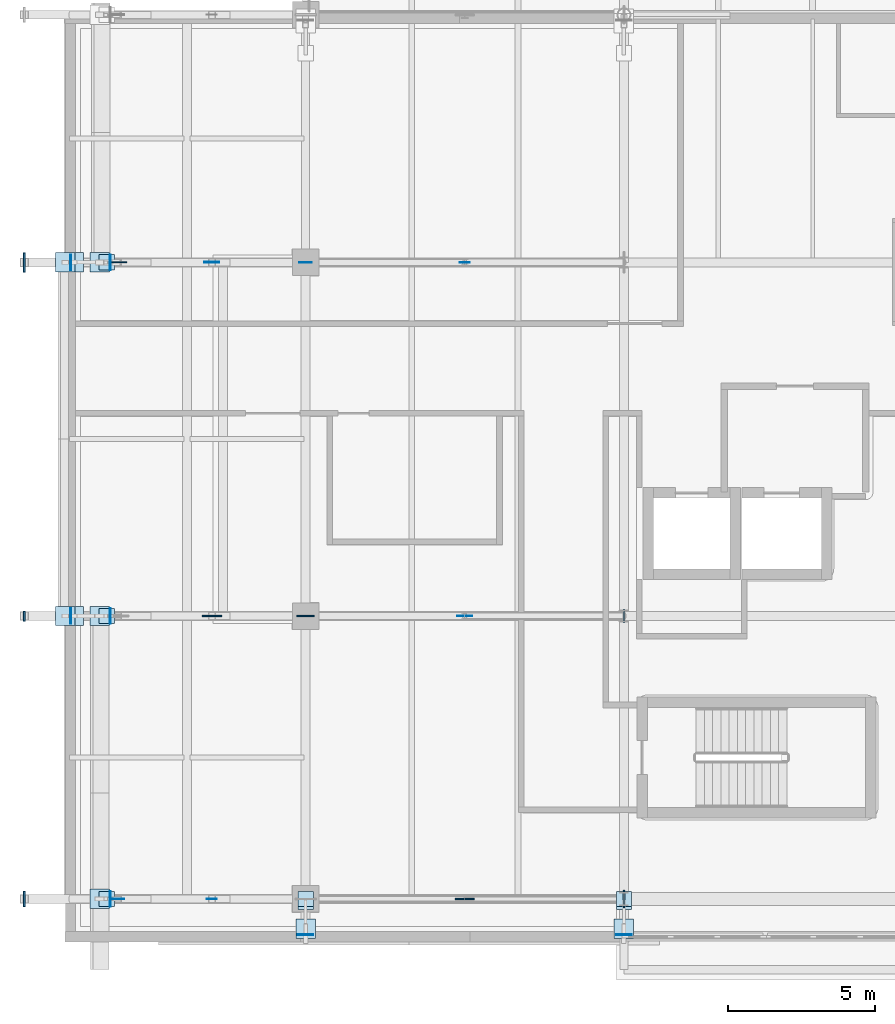
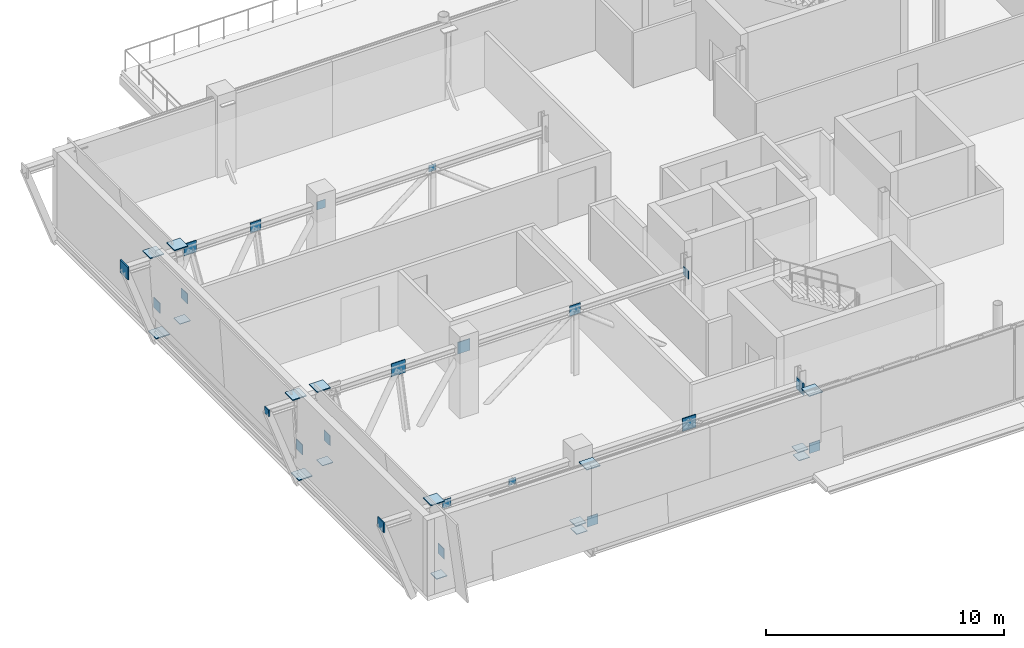
# One storey, part 32 of 57: 38 plates.
"""IFC4 building model written with IfcOpenShell, lengths in metres."""

from ifc_helpers import new_model, si_unit, direction, frame, origin, origin_2d, place, context, subcontext, project, spatial, rectangle, extrude, material, layer, layer_set, type_object, element, save


model = new_model("IFC4")

# Units and contexts
model_context = context("Model", 3, precision=1e-05, world=origin(), true_north=direction((0.0, 1.0)))
body_context = subcontext(model_context, "Body", "Model", "MODEL_VIEW")
ifc_project = project(units=[si_unit("LENGTHUNIT", "METRE"), si_unit("AREAUNIT", "SQUARE_METRE"), si_unit("VOLUMEUNIT", "CUBIC_METRE"), si_unit("PLANEANGLEUNIT", "RADIAN"), si_unit("MASSUNIT", "GRAM", prefix="KILO")], contexts=[model_context])

# Site, building, storey
site_placement = place(None, origin())
site = spatial("IfcSite", under=ifc_project, at=site_placement, CompositionType="ELEMENT")
building_placement = place(site_placement, origin())
building = spatial("IfcBuilding", under=site, at=building_placement, Name="Zereglee Splitstone Museum", CompositionType="ELEMENT")
storey_placement = place(building_placement, frame((0.0, 0.0, 17.10009765625)))
storey = spatial("IfcBuildingStorey", under=building, at=storey_placement, Name="L03", CompositionType="ELEMENT", Elevation=17.10009765625)

# Plates
ifc_material = material(Name="Steel S355J2", Category="steel")
ifc_layer_1 = layer(ifc_material, 0.011962890625)
ifc_layer_set_1 = layer_set([ifc_layer_1], Name="Steel S355J2")
plate_type_1 = type_object("IfcPlateType", Name="NP-06", PredefinedType="SHEET", material=ifc_layer_set_1)
plate_1_placement = place(storey_placement, frame((6.416748046875, 0.0, 3.1298828125), z_axis=(0.0, 0.0, 1.0), x_axis=(1.0, 0.0, 0.0)))
element("IfcPlate", 1, at=plate_1_placement, inside=storey, type_object=plate_type_1, Name="Cantilever Truss Node Plate CN-01", PredefinedType="SHEET", context=body_context, shape_type="SweptSolid", body=[
    extrude(rectangle(XDim=0.340087890625, YDim=0.011962890625, at=origin_2d()), origin(), (0.0, 0.0, 1.0), 0.340087890625),
])
plate_2_placement = place(storey_placement, frame((0.050048828125, 9.60009765625, 3.1298828125), z_axis=(0.0, 0.0, 1.0), x_axis=(1.0, 0.0, 0.0)))
element("IfcPlate", 2, at=plate_2_placement, inside=storey, type_object=plate_type_1, Name="Cantilever Truss Node Plate CN-02", PredefinedType="SHEET", context=body_context, shape_type="SweptSolid", body=[
    extrude(rectangle(XDim=0.06005859375, YDim=0.340087890625, at=origin_2d()), origin(), (0.0, 0.0, 1.0), 0.340087890625),
])
plate_3_placement = place(storey_placement, frame((15.0, 21.60009765625, 3.1298828125), z_axis=(0.0, 0.0, 1.0), x_axis=(1.0, 0.0, 0.0)))
element("IfcPlate", 3, at=plate_3_placement, inside=storey, type_object=plate_type_1, Name="Cantilever Truss Node Plate CN-03", PredefinedType="SHEET", context=body_context, shape_type="SweptSolid", body=[
    extrude(rectangle(XDim=0.340087890625, YDim=0.011962890625, at=origin_2d()), origin(), (0.0, 0.0, 1.0), 0.340087890625),
])
ifc_layer_2 = layer(ifc_material, 0.02001953125)
ifc_layer_set_2 = layer_set([ifc_layer_2], Name="Steel S355J2")
plate_type_2 = type_object("IfcPlateType", Name="NP-05", PredefinedType="SHEET", material=ifc_layer_set_2)
plate_4_placement = place(storey_placement, frame((3.2333984375, 0.0, 3.08984375), z_axis=(0.0, 0.0, 1.0), x_axis=(1.0, 0.0, 0.0)))
element("IfcPlate", 4, at=plate_4_placement, inside=storey, type_object=plate_type_2, Name="Cantilever Truss Node Plate CN-01", PredefinedType="SHEET", context=body_context, shape_type="SweptSolid", body=[
    extrude(rectangle(XDim=0.419921875, YDim=0.02001953125, at=origin_2d()), origin(), (0.0, 0.0, 1.0), 0.419921875),
])
plate_5_placement = place(storey_placement, frame((20.39990234375, 9.60009765625, 3.08984375), z_axis=(0.0, 0.0, 1.0), x_axis=(1.0, 0.0, 0.0)))
element("IfcPlate", 5, at=plate_5_placement, inside=storey, type_object=plate_type_2, Name="Cantilever Truss Node Plate CN-02", PredefinedType="SHEET", context=body_context, shape_type="SweptSolid", body=[
    extrude(rectangle(XDim=0.06005859375, YDim=0.419921875, at=origin_2d()), origin(), (0.0, 0.0, 1.0), 0.419921875),
])
plate_6_placement = place(storey_placement, frame((9.60009765625, 21.60009765625, 3.08984375), z_axis=(0.0, 0.0, 1.0), x_axis=(1.0, 0.0, 0.0)))
element("IfcPlate", 6, at=plate_6_placement, inside=storey, type_object=plate_type_2, Name="Cantilever Truss Node Plate CN-03", PredefinedType="SHEET", context=body_context, shape_type="SweptSolid", body=[
    extrude(rectangle(XDim=0.419921875, YDim=0.02001953125, at=origin_2d()), origin(), (0.0, 0.0, 1.0), 0.419921875),
])
ifc_layer_3 = layer(ifc_material, 0.030029296875)
ifc_layer_set_3 = layer_set([ifc_layer_3], Name="Steel S355J2")
plate_type_3 = type_object("IfcPlateType", Name="NP-04", PredefinedType="SHEET", material=ifc_layer_set_3)
plate_7_placement = place(storey_placement, frame((0.050048828125, 0.0, 3.039794921875), z_axis=(0.0, 0.0, 1.0), x_axis=(1.0, 0.0, 0.0)))
element("IfcPlate", 7, at=plate_7_placement, inside=storey, type_object=plate_type_3, Name="Cantilever Truss Node Plate CN-01", PredefinedType="SHEET", context=body_context, shape_type="SweptSolid", body=[
    extrude(rectangle(XDim=0.06005859375, YDim=0.52001953125, at=origin_2d()), origin(), (0.0, 0.0, 1.0), 0.52001953125),
])
for number, where, z_axis, x_axis, name in (
    (8, (15.0, 9.60009765625, 3.039794921875), (0.0, 0.0, 1.0), (1.0, 0.0, 0.0), "Cantilever Truss Node Plate CN-02"),
    (9, (6.416748046875, 21.60009765625, 3.039794921875), (0.0, 0.0, 1.0), (1.0, 0.0, 0.0), "Cantilever Truss Node Plate CN-03"),
):
    element("IfcPlate", number, at=place(storey_placement, frame(where, z_axis=z_axis, x_axis=x_axis)), inside=storey, type_object=plate_type_3, Name=name, PredefinedType="SHEET", context=body_context, shape_type="SweptSolid", body=[
        extrude(rectangle(XDim=0.52001953125, YDim=0.030029296875, at=origin_2d()), origin(), (0.0, 0.0, 1.0), 0.52001953125),
    ])
for number, where, z_axis, x_axis, name in (
    (10, (9.60009765625, 0.0, 0.10498046875), (0.0, 0.0, 1.0), (1.0, 0.0, 0.0), "CBF Brace Gusset Cap L03-003"),
    (11, (20.39990234375, 0.0, 0.10498046875), (0.0, 0.0, 1.0), (1.0, 0.0, 0.0), "CBF Brace Gusset Cap L03-003"),
    (12, (2.85009765625, 0.0, -0.2548828125), (0.0, 0.0, 1.0), (1.0, 0.0, 0.0), "Facet Tie Seal Plate FH-V1W-S"),
):
    element("IfcPlate", number, at=place(storey_placement, frame(where, z_axis=z_axis, x_axis=x_axis)), inside=storey, type_object=plate_type_3, Name=name, PredefinedType="SHEET", context=body_context, shape_type="SweptSolid", body=[
        extrude(rectangle(XDim=0.52001953125, YDim=0.52001953125, at=origin_2d()), origin(), (0.0, 0.0, 1.0), 0.030029296875),
    ])
plate_8_placement = place(storey_placement, frame((2.96923828125, 0.0, 0.659912109375), z_axis=(0.0, 0.0, 1.0), x_axis=(1.0, 0.0, 0.0)))
element("IfcPlate", 13, at=plate_8_placement, inside=storey, type_object=plate_type_3, Name="Facet Tie Seal Plate FH-V1W-S", PredefinedType="SHEET", context=body_context, shape_type="SweptSolid", body=[
    extrude(rectangle(XDim=0.030029296875, YDim=0.52001953125, at=origin_2d()), origin(), (0.0, 0.0, 1.0), 0.52001953125),
])
plate_9_placement = place(storey_placement, frame((2.85009765625, 9.60009765625, -0.2548828125), z_axis=(0.0, 0.0, 1.0), x_axis=(1.0, 0.0, 0.0)))
element("IfcPlate", 14, at=plate_9_placement, inside=storey, type_object=plate_type_3, Name="Facet Tie Seal Plate FH-V1W-S", PredefinedType="SHEET", context=body_context, shape_type="SweptSolid", body=[
    extrude(rectangle(XDim=0.52001953125, YDim=0.52001953125, at=origin_2d()), origin(), (0.0, 0.0, 1.0), 0.030029296875),
])
plate_10_placement = place(storey_placement, frame((2.96923828125, 9.60009765625, 0.659912109375), z_axis=(0.0, 0.0, 1.0), x_axis=(1.0, 0.0, 0.0)))
element("IfcPlate", 15, at=plate_10_placement, inside=storey, type_object=plate_type_3, Name="Facet Tie Seal Plate FH-V1W-S", PredefinedType="SHEET", context=body_context, shape_type="SweptSolid", body=[
    extrude(rectangle(XDim=0.030029296875, YDim=0.52001953125, at=origin_2d()), origin(), (0.0, 0.0, 1.0), 0.52001953125),
])
plate_11_placement = place(storey_placement, frame((2.85009765625, 21.60009765625, -0.2548828125), z_axis=(0.0, 0.0, 1.0), x_axis=(1.0, 0.0, 0.0)))
element("IfcPlate", 16, at=plate_11_placement, inside=storey, type_object=plate_type_3, Name="Facet Tie Seal Plate FH-V1W-N", PredefinedType="SHEET", context=body_context, shape_type="SweptSolid", body=[
    extrude(rectangle(XDim=0.52001953125, YDim=0.52001953125, at=origin_2d()), origin(), (0.0, 0.0, 1.0), 0.030029296875),
])
for number, where, z_axis, x_axis, name in (
    (17, (2.96923828125, 21.60009765625, 0.659912109375), (0.0, 0.0, 1.0), (1.0, 0.0, 0.0), "Facet Tie Seal Plate FH-V1W-N"),
    (18, (1.628173828125, 9.60009765625, 0.659912109375), (0.0, 0.0, 1.0), (1.0, 0.0, 0.0), "Facet Tie Seal Plate FH-V1W-M"),
    (19, (1.628173828125, 21.60009765625, 0.659912109375), (0.0, 0.0, 1.0), (1.0, 0.0, 0.0), "Facet Tie Seal Plate FH-V1W-M"),
):
    element("IfcPlate", number, at=place(storey_placement, frame(where, z_axis=z_axis, x_axis=x_axis)), inside=storey, type_object=plate_type_3, Name=name, PredefinedType="SHEET", context=body_context, shape_type="SweptSolid", body=[
        extrude(rectangle(XDim=0.030029296875, YDim=0.52001953125, at=origin_2d()), origin(), (0.0, 0.0, 1.0), 0.52001953125),
    ])
plate_12_placement = place(storey_placement, frame((9.60009765625, -0.10009765625, -0.2548828125), z_axis=(0.0, 0.0, 1.0), x_axis=(1.0, 0.0, 0.0)))
element("IfcPlate", 20, at=plate_12_placement, inside=storey, type_object=plate_type_3, Name="Facet Tie Seal Plate FH-V1S-W", PredefinedType="SHEET", context=body_context, shape_type="SweptSolid", body=[
    extrude(rectangle(XDim=0.52001953125, YDim=0.52001953125, at=origin_2d()), origin(), (0.0, 0.0, 1.0), 0.030029296875),
])
plate_13_placement = place(storey_placement, frame((9.60009765625, -1.219970703125, 0.659912109375), z_axis=(0.0, 0.0, 1.0), x_axis=(1.0, 0.0, 0.0)))
element("IfcPlate", 21, at=plate_13_placement, inside=storey, type_object=plate_type_3, Name="Facet Tie Seal Plate FH-V1S-W", PredefinedType="SHEET", context=body_context, shape_type="SweptSolid", body=[
    extrude(rectangle(XDim=0.52001953125, YDim=0.030029296875, at=origin_2d()), origin(), (0.0, 0.0, 1.0), 0.52001953125),
])
plate_14_placement = place(storey_placement, frame((20.39990234375, -0.10009765625, -0.2548828125), z_axis=(0.0, 0.0, 1.0), x_axis=(1.0, 0.0, 0.0)))
element("IfcPlate", 22, at=plate_14_placement, inside=storey, type_object=plate_type_3, Name="Facet Tie Seal Plate FH-V1S-W", PredefinedType="SHEET", context=body_context, shape_type="SweptSolid", body=[
    extrude(rectangle(XDim=0.52001953125, YDim=0.52001953125, at=origin_2d()), origin(), (0.0, 0.0, 1.0), 0.030029296875),
])
plate_15_placement = place(storey_placement, frame((20.39990234375, -1.219970703125, 0.659912109375), z_axis=(0.0, 0.0, 1.0), x_axis=(1.0, 0.0, 0.0)))
element("IfcPlate", 23, at=plate_15_placement, inside=storey, type_object=plate_type_3, Name="Facet Tie Seal Plate FH-V1S-W", PredefinedType="SHEET", context=body_context, shape_type="SweptSolid", body=[
    extrude(rectangle(XDim=0.52001953125, YDim=0.030029296875, at=origin_2d()), origin(), (0.0, 0.0, 1.0), 0.52001953125),
])
ifc_layer_4 = layer(ifc_material, 0.0400390625)
ifc_layer_set_4 = layer_set([ifc_layer_4], Name="Steel S355J2")
plate_type_4 = type_object("IfcPlateType", Name="NP-03", PredefinedType="SHEET", material=ifc_layer_set_4)
plate_16_placement = place(storey_placement, frame((20.39990234375, 0.0, 2.999755859375), z_axis=(0.0, 0.0, 1.0), x_axis=(1.0, 0.0, 0.0)))
element("IfcPlate", 24, at=plate_16_placement, inside=storey, type_object=plate_type_4, Name="Cantilever Truss Node Plate CN-01", PredefinedType="SHEET", context=body_context, shape_type="SweptSolid", body=[
    extrude(rectangle(XDim=0.06005859375, YDim=0.60009765625, at=origin_2d()), origin(), (0.0, 0.0, 1.0), 0.60009765625),
])
for number, where, z_axis, x_axis, name in (
    (25, (9.60009765625, 9.60009765625, 2.999755859375), (0.0, 0.0, 1.0), (1.0, 0.0, 0.0), "Cantilever Truss Node Plate CN-02"),
    (26, (3.2333984375, 21.60009765625, 2.999755859375), (0.0, 0.0, 1.0), (1.0, 0.0, 0.0), "Cantilever Truss Node Plate CN-03"),
):
    element("IfcPlate", number, at=place(storey_placement, frame(where, z_axis=z_axis, x_axis=x_axis)), inside=storey, type_object=plate_type_4, Name=name, PredefinedType="SHEET", context=body_context, shape_type="SweptSolid", body=[
        extrude(rectangle(XDim=0.60009765625, YDim=0.0400390625, at=origin_2d()), origin(), (0.0, 0.0, 1.0), 0.60009765625),
    ])
ifc_layer_5 = layer(ifc_material, 0.050048828125)
ifc_layer_set_5 = layer_set([ifc_layer_5], Name="Steel S355J2")
plate_type_5 = type_object("IfcPlateType", Name="NP-02", PredefinedType="SHEET", material=ifc_layer_set_5)
for number, where, z_axis, x_axis, name in (
    (27, (15.0, 0.0, 2.9697265625), (0.0, 0.0, 1.0), (1.0, 0.0, 0.0), "Cantilever Truss Node Plate CN-01"),
    (28, (6.416748046875, 9.60009765625, 2.9697265625), (0.0, 0.0, 1.0), (1.0, 0.0, 0.0), "Cantilever Truss Node Plate CN-02"),
):
    element("IfcPlate", number, at=place(storey_placement, frame(where, z_axis=z_axis, x_axis=x_axis)), inside=storey, type_object=plate_type_5, Name=name, PredefinedType="SHEET", context=body_context, shape_type="SweptSolid", body=[
        extrude(rectangle(XDim=0.659912109375, YDim=0.050048828125, at=origin_2d()), origin(), (0.0, 0.0, 1.0), 0.659912109375),
    ])
plate_17_placement = place(storey_placement, frame((0.050048828125, 21.60009765625, 2.9697265625), z_axis=(0.0, 0.0, 1.0), x_axis=(1.0, 0.0, 0.0)))
element("IfcPlate", 29, at=plate_17_placement, inside=storey, type_object=plate_type_5, Name="Cantilever Truss Node Plate CN-03", PredefinedType="SHEET", context=body_context, shape_type="SweptSolid", body=[
    extrude(rectangle(XDim=0.06005859375, YDim=0.659912109375, at=origin_2d()), origin(), (0.0, 0.0, 1.0), 0.659912109375),
])
for number, where, z_axis, x_axis, name in (
    (30, (2.610595703125, 0.0, 3.6650390625), (0.0, 0.0, 1.0), (1.0, 0.0, 0.0), "Facet Strut Seal Plate FH-V1W-S"),
    (31, (2.610595703125, 9.60009765625, 3.6650390625), (0.0, 0.0, 1.0), (1.0, 0.0, 0.0), "Facet Strut Seal Plate FH-V1W-S"),
    (32, (2.610595703125, 21.60009765625, 3.6650390625), (0.0, 0.0, 1.0), (1.0, 0.0, 0.0), "Facet Strut Seal Plate FH-V1W-N"),
    (33, (1.7265625, 9.60009765625, -0.55517578125), (0.0, 0.0, 1.0), (1.0, 0.0, 0.0), "Facet Strut Seal Plate FH-V1W-M"),
    (34, (1.440185546875, 9.60009765625, 3.6650390625), (0.0, 0.0, 1.0), (1.0, 0.0, 0.0), "Facet Strut Seal Plate FH-V1W-M"),
    (35, (1.7265625, 21.60009765625, -0.55517578125), (0.0, 0.0, 1.0), (1.0, 0.0, 0.0), "Facet Strut Seal Plate FH-V1W-M"),
    (36, (1.440185546875, 21.60009765625, 3.6650390625), (0.0, 0.0, 1.0), (1.0, 0.0, 0.0), "Facet Strut Seal Plate FH-V1W-M"),
    (37, (9.60009765625, -1.006591796875, 3.6650390625), (0.0, 0.0, 1.0), (1.0, 0.0, 0.0), "Facet Strut Seal Plate FH-V1S-W"),
    (38, (20.39990234375, -1.006591796875, 3.6650390625), (0.0, 0.0, 1.0), (1.0, 0.0, 0.0), "Facet Strut Seal Plate FH-V1S-W"),
):
    element("IfcPlate", number, at=place(storey_placement, frame(where, z_axis=z_axis, x_axis=x_axis)), inside=storey, type_object=plate_type_5, Name=name, PredefinedType="SHEET", context=body_context, shape_type="SweptSolid", body=[
        extrude(rectangle(XDim=0.659912109375, YDim=0.659912109375, at=origin_2d()), origin(), (0.0, 0.0, 1.0), 0.050048828125),
    ])

save(model, "model.ifc")
